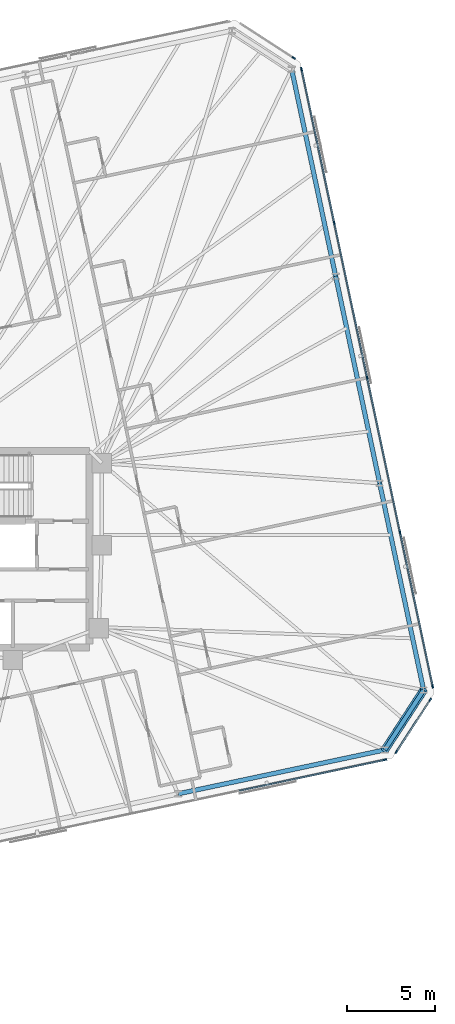
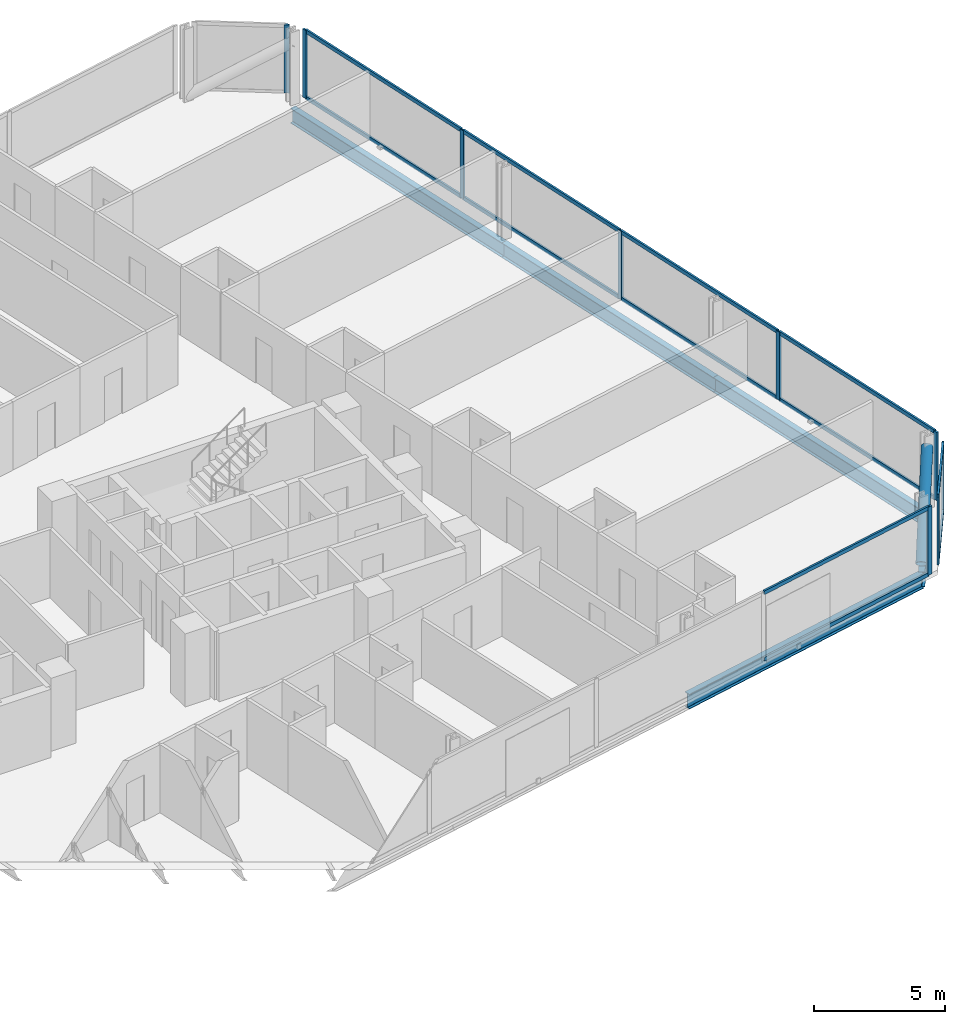
# One storey, part 12 of 21: 22 members, 5 beams, 4 elements without a shape of their own.
"""IFC4 building model written with IfcOpenShell, lengths in metres."""

from ifc_helpers import new_model, si_unit, direction, frame, origin, origin_2d, place, context, subcontext, project, spatial, rectangle, hollow_circle, i_section, extrude, material, material_profile, profile_set, type_object, element, aggregate, save


model = new_model("IFC4")

# Units and contexts
model_context = context("Model", 3, precision=1e-05, world=origin(), true_north=direction((0.0, 1.0)))
body_context = subcontext(model_context, "Body", "Model", "MODEL_VIEW")
ifc_project = project(units=[si_unit("LENGTHUNIT", "METRE"), si_unit("AREAUNIT", "SQUARE_METRE"), si_unit("VOLUMEUNIT", "CUBIC_METRE"), si_unit("PLANEANGLEUNIT", "RADIAN"), si_unit("MASSUNIT", "GRAM", prefix="KILO")], contexts=[model_context])

# Site, building, storey
site_placement = place(None, origin())
site = spatial("IfcSite", under=ifc_project, at=site_placement, CompositionType="ELEMENT")
building_placement = place(site_placement, origin())
building = spatial("IfcBuilding", under=site, at=building_placement, Name="Menara Jurai Vektor", CompositionType="ELEMENT")
storey_placement = place(building_placement, frame((0.0, 0.0, 188.800048828125)))
storey = spatial("IfcBuildingStorey", under=building, at=storey_placement, Name="L49", CompositionType="ELEMENT", Elevation=188.800048828125)

# Curtain wall, member
ifc_material_1 = material(Name="Anodised Pale Aluminium & Low-E Double Glazing", Category="aluminium")
curtain_wall_type = type_object("IfcCurtainWallType", Name="CW-BLK3", PredefinedType="NOTDEFINED", material=ifc_material_1)
curtain_wall_1_placement = place(storey_placement, origin())
curtain_wall_1 = element("IfcCurtainWall", 1, at=curtain_wall_1_placement, inside=storey, type_object=curtain_wall_type, Name="Unitised Curtain Wall L49 F01", PredefinedType="NOTDEFINED")
ifc_material_2 = material(Name="Anodised Pale Aluminium Mullion", Category="aluminium")
ifc_material_profile_1 = material_profile(ifc_material_2, rectangle(XDim=0.0849609375, YDim=0.205078125, at=origin_2d()), Name="ALU MUL 85x205")
ifc_profile_set_1 = profile_set([ifc_material_profile_1], Name="Anodised Pale Aluminium Mullion")
member_type_1 = type_object("IfcMemberType", Name="CW-BLK3-MUL", PredefinedType="MULLION", material=ifc_profile_set_1)
member_1_placement = place(storey_placement, frame((31.392578125, -11.99755859375, 0.0), z_axis=(0.0, 0.0, 1.0), x_axis=(-0.207911344156, 0.978147674419, 0.0)))
member_1 = element("IfcMember", 2, at=member_1_placement, type_object=member_type_1, Name="CW-03 mullion 8", PredefinedType="MULLION", context=body_context, shape_type="SweptSolid", body=[
    extrude(rectangle(XDim=0.0849609375, YDim=0.205078125, at=origin_2d()), origin(), (0.0, 0.0, 1.0), 3.175048828125),
])

# Curtain wall, members
curtain_wall_2_placement = place(storey_placement, origin())
curtain_wall_2 = element("IfcCurtainWall", 3, at=curtain_wall_2_placement, inside=storey, type_object=curtain_wall_type, Name="Unitised Curtain Wall L49 F02", PredefinedType="NOTDEFINED")
member_2_placement = place(storey_placement, frame((32.035888671875, -11.555419921875, 0.0), z_axis=(0.0, 0.0, 1.0), x_axis=(-0.838684361415, 0.544617794346, 0.0)))
member_2 = element("IfcMember", 4, at=member_2_placement, type_object=member_type_1, Name="CW-03 mullion 1", PredefinedType="MULLION", context=body_context, shape_type="SweptSolid", body=[
    extrude(rectangle(XDim=0.0849609375, YDim=0.205078125, at=origin_2d()), origin(), (0.0, 0.0, 1.0), 3.175048828125),
])
member_3_placement = place(storey_placement, frame((33.96337890625, -8.587158203125, 0.0), z_axis=(0.0, 0.0, 1.0), x_axis=(-0.838684361415, 0.544617794346, 0.0)))
member_3 = element("IfcMember", 5, at=member_3_placement, type_object=member_type_1, Name="CW-03 mullion 2", PredefinedType="MULLION", context=body_context, shape_type="SweptSolid", body=[
    extrude(rectangle(XDim=0.0849609375, YDim=0.205078125, at=origin_2d()), origin(), (0.0, 0.0, 1.0), 3.175048828125),
])

curtain_wall_3_placement = place(storey_placement, origin())
curtain_wall_3 = element("IfcCurtainWall", 6, at=curtain_wall_3_placement, inside=storey, type_object=curtain_wall_type, Name="Unitised Curtain Wall L49 F03", PredefinedType="NOTDEFINED")
member_4_placement = place(storey_placement, frame((34.105712890625, -7.819580078125, 0.0), z_axis=(0.0, 0.0, 1.0), x_axis=(-0.978147883949, -0.20791035839, 0.0)))
member_4 = element("IfcMember", 7, at=member_4_placement, type_object=member_type_1, Name="CW-03 mullion 1", PredefinedType="MULLION", context=body_context, shape_type="SweptSolid", body=[
    extrude(rectangle(XDim=0.0849609375, YDim=0.205078125, at=origin_2d()), origin(), (0.0, 0.0, 1.0), 3.175048828125),
])
member_5_placement = place(storey_placement, frame((32.2412109375, 0.951904296875, 0.0), z_axis=(0.0, 0.0, 1.0), x_axis=(-0.978147883949, -0.20791035839, 0.0)))
member_5 = element("IfcMember", 8, at=member_5_placement, type_object=member_type_1, Name="CW-03 mullion 2", PredefinedType="MULLION", context=body_context, shape_type="SweptSolid", body=[
    extrude(rectangle(XDim=0.0849609375, YDim=0.205078125, at=origin_2d()), origin(), (0.0, 0.0, 1.0), 3.175048828125),
])
member_6_placement = place(storey_placement, frame((30.367919921875, 9.76513671875, 0.0), z_axis=(0.0, 0.0, 1.0), x_axis=(-0.978147883949, -0.20791035839, 0.0)))
member_6 = element("IfcMember", 9, at=member_6_placement, type_object=member_type_1, Name="CW-03 mullion 3", PredefinedType="MULLION", context=body_context, shape_type="SweptSolid", body=[
    extrude(rectangle(XDim=0.0849609375, YDim=0.205078125, at=origin_2d()), origin(), (0.0, 0.0, 1.0), 3.175048828125),
])
member_7_placement = place(storey_placement, frame((28.49462890625, 18.578125, 0.0), z_axis=(0.0, 0.0, 1.0), x_axis=(-0.978147883949, -0.20791035839, 0.0)))
member_7 = element("IfcMember", 10, at=member_7_placement, type_object=member_type_1, Name="CW-03 mullion 4", PredefinedType="MULLION", context=body_context, shape_type="SweptSolid", body=[
    extrude(rectangle(XDim=0.0849609375, YDim=0.205078125, at=origin_2d()), origin(), (0.0, 0.0, 1.0), 3.175048828125),
])
member_8_placement = place(storey_placement, frame((26.630126953125, 27.349609375, 0.0), z_axis=(0.0, 0.0, 1.0), x_axis=(-0.978147883949, -0.20791035839, 0.0)))
member_8 = element("IfcMember", 11, at=member_8_placement, type_object=member_type_1, Name="CW-03 mullion 5", PredefinedType="MULLION", context=body_context, shape_type="SweptSolid", body=[
    extrude(rectangle(XDim=0.0849609375, YDim=0.205078125, at=origin_2d()), origin(), (0.0, 0.0, 1.0), 3.175048828125),
])

# Curtain wall, member
curtain_wall_4_placement = place(storey_placement, origin())
curtain_wall_4 = element("IfcCurtainWall", 12, at=curtain_wall_4_placement, inside=storey, type_object=curtain_wall_type, Name="Unitised Curtain Wall L49 F04", PredefinedType="NOTDEFINED")
member_9_placement = place(storey_placement, frame((26.18798828125, 27.9931640625, 0.0), z_axis=(0.0, 0.0, 1.0), x_axis=(-0.544617794346, -0.838684361415, 0.0)))
member_9 = element("IfcMember", 13, at=member_9_placement, type_object=member_type_1, Name="CW-03 mullion 1", PredefinedType="MULLION", context=body_context, shape_type="SweptSolid", body=[
    extrude(rectangle(XDim=0.0849609375, YDim=0.205078125, at=origin_2d()), origin(), (0.0, 0.0, 1.0), 3.175048828125),
])
aggregate(curtain_wall_4, [member_9])

# Member
ifc_material_3 = material(Name="Anodised Pale Aluminium Transom", Category="aluminium")
ifc_material_profile_2 = material_profile(ifc_material_3, rectangle(XDim=0.0849609375, YDim=0.175048828125, at=origin_2d()), Name="ALU TRN 85x175")
ifc_profile_set_2 = profile_set([ifc_material_profile_2], Name="Anodised Pale Aluminium Transom")
member_type_2 = type_object("IfcMemberType", Name="CW-BLK3-TRN", PredefinedType="USERDEFINED", material=ifc_profile_set_2)
member_10_placement = place(storey_placement, frame((23.0859375, -13.76318359375, 0.04248046875), z_axis=(0.978146953428, 0.207914736128, 0.0), x_axis=(-0.207914736128, 0.978146953428, 0.0)))
member_10 = element("IfcMember", 14, at=member_10_placement, type_object=member_type_2, Name="CW-03 transom 7.1", ObjectType="TRANSOM", PredefinedType="USERDEFINED", context=body_context, shape_type="SweptSolid", body=[
    extrude(rectangle(XDim=0.0849609375, YDim=0.175048828125, at=origin_2d()), origin(), (0.0, 0.0, 1.0), 8.44970703125),
])

member_11_placement = place(storey_placement, frame((23.0859375, -13.76318359375, 3.132568359375), z_axis=(0.978146953428, 0.207914736128, 0.0), x_axis=(-0.207914736128, 0.978146953428, 0.0)))
member_11 = element("IfcMember", 15, at=member_11_placement, type_object=member_type_2, Name="CW-03 transom 7.2", ObjectType="TRANSOM", PredefinedType="USERDEFINED", context=body_context, shape_type="SweptSolid", body=[
    extrude(rectangle(XDim=0.0849609375, YDim=0.175048828125, at=origin_2d()), origin(), (0.0, 0.0, 1.0), 8.44970703125),
])

aggregate(curtain_wall_1, [member_1, member_10, member_11])

member_12_placement = place(storey_placement, frame((32.05908203125, -11.519775390625, 0.04248046875), z_axis=(0.54459575764, 0.838698671014, 0.0), x_axis=(-0.838698671014, 0.54459575764, 0.0)))
member_12 = element("IfcMember", 16, at=member_12_placement, type_object=member_type_2, Name="CW-03 transom 1.1", ObjectType="TRANSOM", PredefinedType="USERDEFINED", context=body_context, shape_type="SweptSolid", body=[
    extrude(rectangle(XDim=0.0849609375, YDim=0.175048828125, at=origin_2d()), origin(), (0.0, 0.0, 1.0), 3.4541015625),
])

member_13_placement = place(storey_placement, frame((32.05908203125, -11.519775390625, 3.132568359375), z_axis=(0.54459575764, 0.838698671014, 0.0), x_axis=(-0.838698671014, 0.54459575764, 0.0)))
member_13 = element("IfcMember", 17, at=member_13_placement, type_object=member_type_2, Name="CW-03 transom 1.2", ObjectType="TRANSOM", PredefinedType="USERDEFINED", context=body_context, shape_type="SweptSolid", body=[
    extrude(rectangle(XDim=0.0849609375, YDim=0.175048828125, at=origin_2d()), origin(), (0.0, 0.0, 1.0), 3.4541015625),
])

aggregate(curtain_wall_2, [member_2, member_3, member_12, member_13])

member_14_placement = place(storey_placement, frame((34.096923828125, -7.778076171875, 0.04248046875), z_axis=(-0.207925814542, 0.978144598537, 0.0), x_axis=(-0.978144598537, -0.207925814542, 0.0)))
member_14 = element("IfcMember", 18, at=member_14_placement, type_object=member_type_2, Name="CW-03 transom 1.1", ObjectType="TRANSOM", PredefinedType="USERDEFINED", context=body_context, shape_type="SweptSolid", body=[
    extrude(rectangle(XDim=0.0849609375, YDim=0.175048828125, at=origin_2d()), origin(), (0.0, 0.0, 1.0), 8.882568359375),
])

member_15_placement = place(storey_placement, frame((34.096923828125, -7.778076171875, 3.132568359375), z_axis=(-0.207925814542, 0.978144598537, 0.0), x_axis=(-0.978144598537, -0.207925814542, 0.0)))
member_15 = element("IfcMember", 19, at=member_15_placement, type_object=member_type_2, Name="CW-03 transom 1.2", ObjectType="TRANSOM", PredefinedType="USERDEFINED", context=body_context, shape_type="SweptSolid", body=[
    extrude(rectangle(XDim=0.0849609375, YDim=0.175048828125, at=origin_2d()), origin(), (0.0, 0.0, 1.0), 8.882568359375),
])

member_16_placement = place(storey_placement, frame((32.232421875, 0.993408203125, 0.04248046875), z_axis=(-0.207922224243, 0.978145361726, 0.0), x_axis=(-0.978145361726, -0.207922224243, 0.0)))
member_16 = element("IfcMember", 20, at=member_16_placement, type_object=member_type_2, Name="CW-03 transom 2.1", ObjectType="TRANSOM", PredefinedType="USERDEFINED", context=body_context, shape_type="SweptSolid", body=[
    extrude(rectangle(XDim=0.0849609375, YDim=0.175048828125, at=origin_2d()), origin(), (0.0, 0.0, 1.0), 8.925048828125),
])

member_17_placement = place(storey_placement, frame((32.232421875, 0.993408203125, 3.132568359375), z_axis=(-0.207922224243, 0.978145361726, 0.0), x_axis=(-0.978145361726, -0.207922224243, 0.0)))
member_17 = element("IfcMember", 21, at=member_17_placement, type_object=member_type_2, Name="CW-03 transom 2.2", ObjectType="TRANSOM", PredefinedType="USERDEFINED", context=body_context, shape_type="SweptSolid", body=[
    extrude(rectangle(XDim=0.0849609375, YDim=0.175048828125, at=origin_2d()), origin(), (0.0, 0.0, 1.0), 8.925048828125),
])

member_18_placement = place(storey_placement, frame((30.359130859375, 9.806640625, 0.04248046875), z_axis=(-0.207922224243, 0.978145361726, 0.0), x_axis=(-0.978145361726, -0.207922224243, 0.0)))
member_18 = element("IfcMember", 22, at=member_18_placement, type_object=member_type_2, Name="CW-03 transom 3.1", ObjectType="TRANSOM", PredefinedType="USERDEFINED", context=body_context, shape_type="SweptSolid", body=[
    extrude(rectangle(XDim=0.0849609375, YDim=0.175048828125, at=origin_2d()), origin(), (0.0, 0.0, 1.0), 8.925048828125),
])

member_19_placement = place(storey_placement, frame((30.359130859375, 9.806640625, 3.132568359375), z_axis=(-0.207922224243, 0.978145361726, 0.0), x_axis=(-0.978145361726, -0.207922224243, 0.0)))
member_19 = element("IfcMember", 23, at=member_19_placement, type_object=member_type_2, Name="CW-03 transom 3.2", ObjectType="TRANSOM", PredefinedType="USERDEFINED", context=body_context, shape_type="SweptSolid", body=[
    extrude(rectangle(XDim=0.0849609375, YDim=0.175048828125, at=origin_2d()), origin(), (0.0, 0.0, 1.0), 8.925048828125),
])

member_20_placement = place(storey_placement, frame((28.48583984375, 18.61962890625, 0.04248046875), z_axis=(-0.207899517354, 0.978150188204, 0.0), x_axis=(-0.978150188204, -0.207899517354, 0.0)))
member_20 = element("IfcMember", 24, at=member_20_placement, type_object=member_type_2, Name="CW-03 transom 4.1", ObjectType="TRANSOM", PredefinedType="USERDEFINED", context=body_context, shape_type="SweptSolid", body=[
    extrude(rectangle(XDim=0.0849609375, YDim=0.175048828125, at=origin_2d()), origin(), (0.0, 0.0, 1.0), 8.882568359375),
])

member_21_placement = place(storey_placement, frame((28.48583984375, 18.61962890625, 3.132568359375), z_axis=(-0.207899517354, 0.978150188204, 0.0), x_axis=(-0.978150188204, -0.207899517354, 0.0)))
member_21 = element("IfcMember", 25, at=member_21_placement, type_object=member_type_2, Name="CW-03 transom 4.2", ObjectType="TRANSOM", PredefinedType="USERDEFINED", context=body_context, shape_type="SweptSolid", body=[
    extrude(rectangle(XDim=0.0849609375, YDim=0.175048828125, at=origin_2d()), origin(), (0.0, 0.0, 1.0), 8.882568359375),
])

aggregate(curtain_wall_3, [member_4, member_5, member_6, member_7, member_8, member_14, member_15, member_16, member_17, member_18, member_19, member_20, member_21])

ifc_material_4 = material(Name="Steel S460", Category="steel")
ifc_material_profile_3 = material_profile(ifc_material_4, hollow_circle(Radius=0.228515625, WallThickness=0.01611328125, at=origin_2d()), Name="CHS 457x16")
ifc_profile_set_3 = profile_set([ifc_material_profile_3], Name="Steel S460")
member_type_3 = type_object("IfcMemberType", Name="STR-BR-457", PredefinedType="BRACE", material=ifc_profile_set_3)
member_22_placement = place(storey_placement, frame((31.376220703125, -11.438720703125, 0.14990234375), z_axis=(0.454871874024, 0.700428396616, 0.549992399435), x_axis=(-0.838665998507, 0.544646071268, 0.0)))
element("IfcMember", 26, at=member_22_placement, inside=storey, type_object=member_type_3, Name="Exoskeleton Corner Brace L49-1", PredefinedType="BRACE", context=body_context, shape_type="SweptSolid", body=[
    extrude(hollow_circle(Radius=0.228515625, WallThickness=0.01611328125, at=origin_2d()), origin(), (0.0, 0.0, 1.0), 4.86376953125),
])

# Beams
ifc_material_profile_4 = material_profile(ifc_material_4, i_section(OverallWidth=0.256103515625, OverallDepth=0.693115234375, WebThickness=0.013916015625, FlangeThickness=0.02392578125, FilletRadius=0.014892578125, at=origin_2d()), Name="UKB 686x254x170")
ifc_profile_set_4 = profile_set([ifc_material_profile_4], Name="Steel S460")
beam_type = type_object("IfcBeamType", Name="STR-SP-686", PredefinedType="SPANDREL", material=ifc_profile_set_4)
beam_1_placement = place(storey_placement, frame((19.608154296875, -13.940185546875, -0.571533203125), z_axis=(0.97814616202, 0.207918459318, 0.0), x_axis=(-0.207918459318, 0.97814616202, 0.0)))
element("IfcBeam", 27, at=beam_1_placement, inside=storey, type_object=beam_type, Name="Exoskeleton Spandrel Beam L49-05", PredefinedType="SPANDREL", context=body_context, shape_type="SweptSolid", body=[
    extrude(i_section(OverallWidth=0.256103515625, OverallDepth=0.693115234375, WebThickness=0.013916015625, FlangeThickness=0.02392578125, FilletRadius=0.014892578125, at=origin_2d()), origin(), (0.0, 0.0, 1.0), 12.031005859375),
])
beam_2_placement = place(storey_placement, frame((31.376220703125, -11.438720703125, -0.571533203125), z_axis=(0.544646071268, 0.838665998507, 0.0), x_axis=(-0.838665998507, 0.544646071268, 0.0)))
element("IfcBeam", 28, at=beam_2_placement, inside=storey, type_object=beam_type, Name="Exoskeleton Spandrel Beam L49-06", PredefinedType="SPANDREL", context=body_context, shape_type="SweptSolid", body=[
    extrude(i_section(OverallWidth=0.256103515625, OverallDepth=0.693115234375, WebThickness=0.013916015625, FlangeThickness=0.02392578125, FilletRadius=0.014892578125, at=origin_2d()), origin(), (0.0, 0.0, 1.0), 4.06201171875),
])
beam_3_placement = place(storey_placement, frame((33.588623046875, -8.031982421875, -0.571533203125), z_axis=(-0.207925382659, 0.978144690343, 0.0), x_axis=(-0.978144690343, -0.207925382659, 0.0)))
element("IfcBeam", 29, at=beam_3_placement, inside=storey, type_object=beam_type, Name="Exoskeleton Spandrel Beam L49-07", PredefinedType="SPANDREL", context=body_context, shape_type="SweptSolid", body=[
    extrude(i_section(OverallWidth=0.256103515625, OverallDepth=0.693115234375, WebThickness=0.013916015625, FlangeThickness=0.02392578125, FilletRadius=0.014892578125, at=origin_2d()), origin(), (0.0, 0.0, 1.0), 12.0517578125),
])
for number, where, z_axis, x_axis, name in (
    (30, (31.082763671875, 3.75634765625, -0.571533203125), (-0.207901880993, 0.978149685825, 0.0), (-0.978149685825, -0.207901880993, 0.0), "Exoskeleton Spandrel Beam L49-08"),
    (31, (28.5771484375, 15.544921875, -0.571533203125), (-0.207921262698, 0.978145566119, 0.0), (-0.978145566119, -0.207921262698, 0.0), "Exoskeleton Spandrel Beam L49-09"),
):
    element("IfcBeam", number, at=place(storey_placement, frame(where, z_axis=z_axis, x_axis=x_axis)), inside=storey, type_object=beam_type, Name=name, PredefinedType="SPANDREL", context=body_context, shape_type="SweptSolid", body=[
        extrude(i_section(OverallWidth=0.256103515625, OverallDepth=0.693115234375, WebThickness=0.013916015625, FlangeThickness=0.02392578125, FilletRadius=0.014892578125, at=origin_2d()), origin(), (0.0, 0.0, 1.0), 12.052001953125),
    ])

save(model, "model.ifc")
